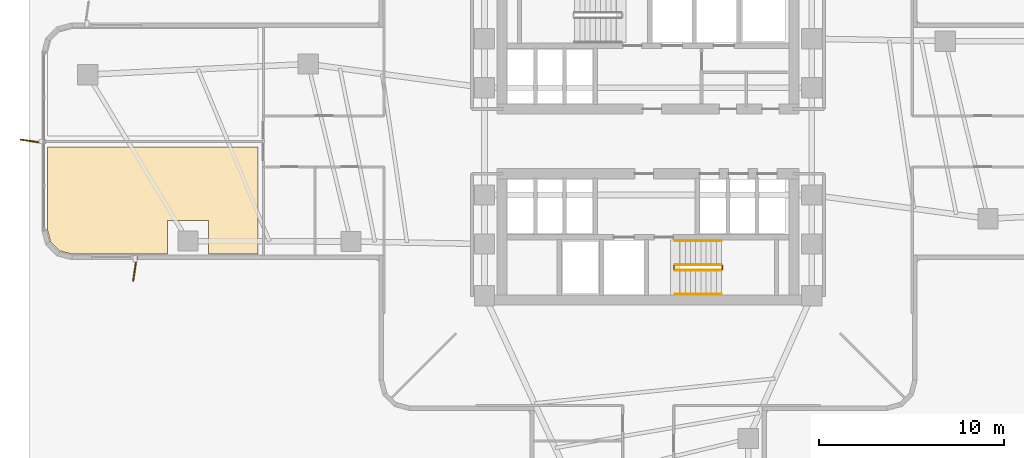
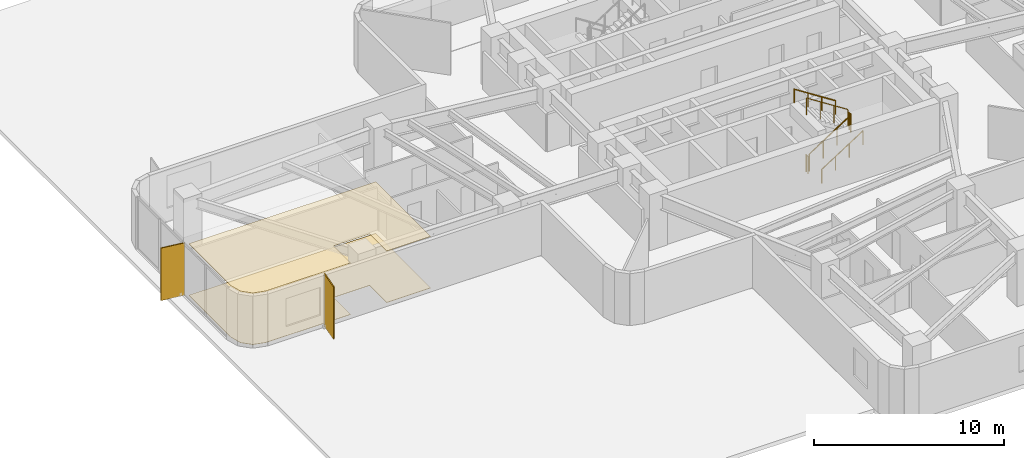
# One storey, part 12 of 14: 6 railings, 2 coverings, 2 shading devices.
"""IFC4 building model written with IfcOpenShell, lengths in metres."""

from ifc_helpers import new_model, si_unit, direction, frame, origin, origin_2d, place, context, subcontext, project, spatial, polyline, rectangle, circle, outline, extrude, material, layer, layer_set, type_object, element, save


model = new_model("IFC4")

# Units and contexts
model_context = context("Model", 3, precision=1e-05, world=origin(), true_north=direction((0.0, 1.0)))
body_context = subcontext(model_context, "Body", "Model", "MODEL_VIEW")
ifc_project = project(units=[si_unit("LENGTHUNIT", "METRE"), si_unit("AREAUNIT", "SQUARE_METRE"), si_unit("VOLUMEUNIT", "CUBIC_METRE"), si_unit("PLANEANGLEUNIT", "RADIAN"), si_unit("MASSUNIT", "GRAM", prefix="KILO")], contexts=[model_context])

# Site, building, storey
site_placement = place(None, origin())
site = spatial("IfcSite", under=ifc_project, at=site_placement, CompositionType="ELEMENT")
building_placement = place(site_placement, origin())
building = spatial("IfcBuilding", under=site, at=building_placement, Name="Solmarez Civic Tower", CompositionType="ELEMENT")
storey_placement = place(building_placement, frame((0.0, 0.0, 24.47998046875)))
storey = spatial("IfcBuildingStorey", under=building, at=storey_placement, Name="L05", CompositionType="ELEMENT", Elevation=24.47998046875)

# Coverings
ifc_material_1 = material(Name="Perforated Mineral-Fibre Acoustic Ceiling")
ifc_layer_1 = layer(ifc_material_1, 0.02490234375)
ifc_layer_set_1 = layer_set([ifc_layer_1], Name="Perforated Mineral-Fibre Acoustic Ceiling")
covering_type_1 = type_object("IfcCoveringType", Name="COV-CEIL-ACOUSTIC", PredefinedType="CEILING", material=ifc_layer_set_1)
covering_1_placement = place(storey_placement, frame((0.0, 0.0, 3.31494140625)))
element("IfcCovering", 1, at=covering_1_placement, inside=storey, type_object=covering_type_1, Name="L05 Suspended Acoustic Ceiling 3", PredefinedType="CEILING", context=body_context, shape_type="SweptSolid", body=[
    extrude(outline(polyline([(-32.5, -0.300048828125), (-32.5, -4.760009765625), (-32.31689453125, -5.445068359375), (-31.844970703125, -5.9169921875), (-31.159912109375, -6.10009765625), (-25.988037109375, -6.10009765625), (-25.988037109375, -4.29296875), (-23.7880859375, -4.29296875), (-23.7880859375, -6.10009765625), (-21.110107421875, -6.10009765625), (-21.110107421875, -0.300048828125), (-32.5, -0.300048828125)])), origin(), (0.0, 0.0, 1.0), 0.025146484375),
])
ifc_material_2 = material(Name="Polished Tropical Stone Terrazzo Flooring", Category="masonry")
ifc_layer_2 = layer(ifc_material_2, 0.02001953125)
ifc_layer_set_2 = layer_set([ifc_layer_2], Name="Polished Tropical Stone Terrazzo Flooring")
covering_type_2 = type_object("IfcCoveringType", Name="COV-FLOOR-TERRAZZO", PredefinedType="FLOORING", material=ifc_layer_set_2)
covering_2_placement = place(storey_placement, origin())
element("IfcCovering", 2, at=covering_2_placement, inside=storey, type_object=covering_type_2, Name="L05 Terrazzo Floor Finish 3", PredefinedType="FLOORING", context=body_context, shape_type="SweptSolid", body=[
    extrude(outline(polyline([(-32.5, -0.300048828125), (-32.5, -4.760009765625), (-32.31689453125, -5.445068359375), (-31.844970703125, -5.9169921875), (-31.159912109375, -6.10009765625), (-25.988037109375, -6.10009765625), (-25.988037109375, -4.29296875), (-23.7880859375, -4.29296875), (-23.7880859375, -6.10009765625), (-21.110107421875, -6.10009765625), (-21.110107421875, -0.300048828125), (-32.5, -0.300048828125)])), origin(), (0.0, 0.0, 1.0), 0.02001953125),
])

# Shading devices
ifc_material_3 = material(Name="Bronze Anodised Aluminium EN AW-6063 T6", Category="aluminium")
ifc_layer_3 = layer(ifc_material_3, 0.06494140625)
ifc_layer_set_3 = layer_set([ifc_layer_3], Name="Bronze Anodised Aluminium EN AW-6063 T6")
shading_device_type = type_object("IfcShadingDeviceType", Name="FIN-BRONZE-Z12", PredefinedType="USERDEFINED", material=ifc_layer_set_3)
for number, where, z_axis, x_axis, name in (
    (3, (-27.759033203125, -6.905029296875, -0.0400390625), (0.0, 0.0, 1.0), (-0.146083028562, -0.989272332963, 0.0), "L05 Anodised Bronze Solar Fin FIN-L05-01"),
    (4, (-33.304931640625, 0.0, -0.0400390625), (0.0, 0.0, 1.0), (-0.989272332963, 0.146083028562, 0.0), "L05 Anodised Bronze Solar Fin FIN-L05-02"),
):
    element("IfcShadingDevice", number, at=place(storey_placement, frame(where, z_axis=z_axis, x_axis=x_axis)), inside=storey, type_object=shading_device_type, Name=name, ObjectType="FIN", PredefinedType="USERDEFINED", context=body_context, shape_type="SweptSolid", body=[
        extrude(rectangle(XDim=1.35009765625, YDim=0.06494140625, at=origin_2d()), origin(), (0.0, 0.0, 1.0), 3.3798828125),
    ])

# Railings
ifc_material_4 = material(Name="Painted Steel Stairwell Safety Guard", Category="steel")
railing_type_1 = type_object("IfcRailingType", Name="GUARD-STAIR-1120", PredefinedType="BALUSTRADE", material=ifc_material_4)
railing_1_placement = place(storey_placement, frame((1.449951171875, -6.969970703125, 0.179931640625)))
element("IfcRailing", 5, at=railing_1_placement, inside=storey, type_object=railing_type_1, Name="L05 ST-2 stair guard 1", PredefinedType="BALUSTRADE", context=body_context, shape_type="SweptSolid", body=[
    extrude(circle(Radius=0.02392578125, at=origin_2d()), frame((0.0, 0.0, 1.09619140625), z_axis=(0.841162588446, 0.0, 0.540782303519), x_axis=(0.0, 1.0, 0.0)), (0.0, 0.0, 1.0), 2.995849609375),
    extrude(circle(Radius=0.02099609375, at=origin_2d()), origin(), (0.0, 0.0, 1.0), 1.072021484375),
    extrude(circle(Radius=0.02099609375, at=origin_2d()), frame((0.840087890625, 0.0, 0.5400390625)), (0.0, 0.0, 1.0), 1.072021484375),
    extrude(circle(Radius=0.02099609375, at=origin_2d()), frame((1.679931640625, 0.0, 1.080078125)), (0.0, 0.0, 1.0), 1.072021484375),
    extrude(circle(Radius=0.02099609375, at=origin_2d()), frame((2.52001953125, 0.0, 1.6201171875)), (0.0, 0.0, 1.0), 1.072021484375),
])
railing_2_placement = place(storey_placement, frame((4.02001953125, -6.919921875, 1.800048828125)))
element("IfcRailing", 6, at=railing_2_placement, inside=storey, type_object=railing_type_1, Name="L05 ST-2 stair guard 2", PredefinedType="BALUSTRADE", context=body_context, shape_type="SweptSolid", body=[
    extrude(circle(Radius=0.02392578125, at=origin_2d()), frame((0.0, 0.0, 1.09619140625), z_axis=(0.0, 1.0, 0.0), x_axis=(-1.0, 0.0, 0.0)), (0.0, 0.0, 1.0), 0.199951171875),
    extrude(circle(Radius=0.02099609375, at=origin_2d()), origin(), (0.0, 0.0, 1.0), 1.072021484375),
    extrude(circle(Radius=0.02099609375, at=origin_2d()), frame((0.0, 0.199951171875, 0.0)), (0.0, 0.0, 1.0), 1.072021484375),
])
railing_3_placement = place(storey_placement, frame((3.969970703125, -6.669921875, 1.97998046875)))
element("IfcRailing", 7, at=railing_3_placement, inside=storey, type_object=railing_type_1, Name="L05 ST-2 stair guard 3", PredefinedType="BALUSTRADE", context=body_context, shape_type="SweptSolid", body=[
    extrude(circle(Radius=0.02392578125, at=origin_2d()), frame((0.0, 0.0, 1.09619140625), z_axis=(-0.841162588446, 0.0, 0.540782303519), x_axis=(0.0, -1.0, 0.0)), (0.0, 0.0, 1.0), 2.995849609375),
    extrude(circle(Radius=0.02099609375, at=origin_2d()), origin(), (0.0, 0.0, 1.0), 1.072021484375),
    extrude(circle(Radius=0.02099609375, at=origin_2d()), frame((-0.840087890625, 0.0, 0.5400390625)), (0.0, 0.0, 1.0), 1.072021484375),
    extrude(circle(Radius=0.02099609375, at=origin_2d()), frame((-1.679931640625, 0.0, 1.080078125)), (0.0, 0.0, 1.0), 1.072021484375),
    extrude(circle(Radius=0.02099609375, at=origin_2d()), frame((-2.52001953125, 0.0, 1.6201171875)), (0.0, 0.0, 1.0), 1.072021484375),
])
railing_4_placement = place(storey_placement, frame((1.39990234375, -6.919921875, 0.0)))
element("IfcRailing", 8, at=railing_4_placement, inside=storey, type_object=railing_type_1, Name="L05 ST-2 stair guard 4", PredefinedType="BALUSTRADE", context=body_context, shape_type="SweptSolid", body=[
    extrude(circle(Radius=0.02392578125, at=origin_2d()), frame((0.0, 0.0, 1.09619140625), z_axis=(0.0, 1.0, 0.0), x_axis=(-1.0, 0.0, 0.0)), (0.0, 0.0, 1.0), 0.199951171875),
    extrude(circle(Radius=0.02099609375, at=origin_2d()), origin(), (0.0, 0.0, 1.0), 1.072021484375),
    extrude(circle(Radius=0.02099609375, at=origin_2d()), frame((0.0, 0.199951171875, 0.0)), (0.0, 0.0, 1.0), 1.072021484375),
])
ifc_material_5 = material(Name="Brushed Stainless Steel Tube Handrail", Category="steel")
railing_type_2 = type_object("IfcRailingType", Name="HANDRAIL-STAIR-900", PredefinedType="HANDRAIL", material=ifc_material_5)
railing_5_placement = place(storey_placement, frame((1.449951171875, -8.27001953125, 0.179931640625)))
element("IfcRailing", 9, at=railing_5_placement, inside=storey, type_object=railing_type_2, Name="L05 ST-2 stair handrail 1", PredefinedType="HANDRAIL", context=body_context, shape_type="SweptSolid", body=[
    extrude(circle(Radius=0.02392578125, at=origin_2d()), frame((0.0, 0.0, 0.8759765625), z_axis=(0.841162588446, 0.0, 0.540782303519), x_axis=(0.0, 1.0, 0.0)), (0.0, 0.0, 1.0), 2.995849609375),
    extrude(circle(Radius=0.02099609375, at=origin_2d()), origin(), (0.0, 0.0, 1.0), 0.851806640625),
    extrude(circle(Radius=0.02099609375, at=origin_2d()), frame((0.840087890625, 0.0, 0.5400390625)), (0.0, 0.0, 1.0), 0.851806640625),
    extrude(circle(Radius=0.02099609375, at=origin_2d()), frame((1.679931640625, 0.0, 1.080078125)), (0.0, 0.0, 1.0), 0.851806640625),
    extrude(circle(Radius=0.02099609375, at=origin_2d()), frame((2.52001953125, 0.0, 1.6201171875)), (0.0, 0.0, 1.0), 0.851806640625),
])
railing_6_placement = place(storey_placement, frame((3.969970703125, -5.3701171875, 1.97998046875)))
element("IfcRailing", 10, at=railing_6_placement, inside=storey, type_object=railing_type_2, Name="L05 ST-2 stair handrail 2", PredefinedType="HANDRAIL", context=body_context, shape_type="SweptSolid", body=[
    extrude(circle(Radius=0.02392578125, at=origin_2d()), frame((0.0, 0.0, 0.8759765625), z_axis=(-0.841162588446, 0.0, 0.540782303519), x_axis=(0.0, -1.0, 0.0)), (0.0, 0.0, 1.0), 2.995849609375),
    extrude(circle(Radius=0.02099609375, at=origin_2d()), origin(), (0.0, 0.0, 1.0), 0.851806640625),
    extrude(circle(Radius=0.02099609375, at=origin_2d()), frame((-0.840087890625, 0.0, 0.5400390625)), (0.0, 0.0, 1.0), 0.851806640625),
    extrude(circle(Radius=0.02099609375, at=origin_2d()), frame((-1.679931640625, 0.0, 1.080078125)), (0.0, 0.0, 1.0), 0.851806640625),
    extrude(circle(Radius=0.02099609375, at=origin_2d()), frame((-2.52001953125, 0.0, 1.6201171875)), (0.0, 0.0, 1.0), 0.851806640625),
])

save(model, "model.ifc")
